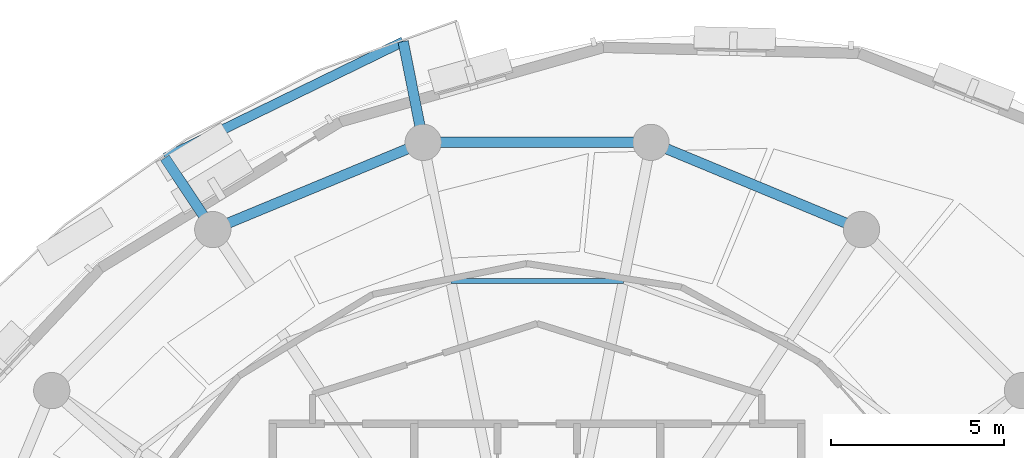
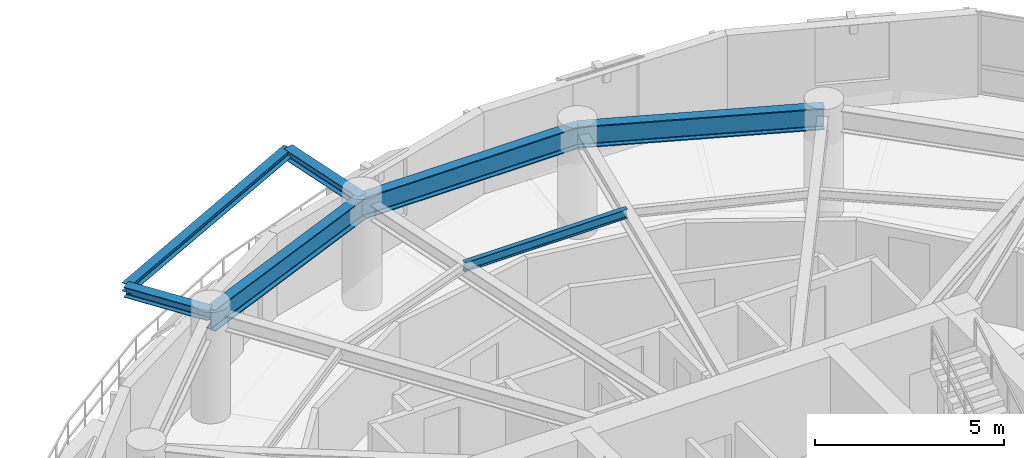
# One storey, part 7 of 15: 7 beams.
"""IFC4 building model written with IfcOpenShell, lengths in metres."""

from ifc_helpers import new_model, si_unit, direction, frame, origin, origin_2d, place, context, subcontext, project, spatial, i_section, extrude, material, material_profile, profile_set, type_object, element, save


model = new_model("IFC4")

# Units and contexts
model_context = context("Model", 3, precision=1e-05, world=origin(), true_north=direction((0.0, 1.0)))
body_context = subcontext(model_context, "Body", "Model", "MODEL_VIEW")
ifc_project = project(units=[si_unit("LENGTHUNIT", "METRE"), si_unit("AREAUNIT", "SQUARE_METRE"), si_unit("VOLUMEUNIT", "CUBIC_METRE"), si_unit("PLANEANGLEUNIT", "RADIAN"), si_unit("MASSUNIT", "GRAM", prefix="KILO"), si_unit("THERMODYNAMICTEMPERATUREUNIT", "KELVIN"), si_unit("POWERUNIT", "WATT")], contexts=[model_context])

# Site, building, storey
site_placement = place(None, origin())
site = spatial("IfcSite", under=ifc_project, at=site_placement, CompositionType="ELEMENT")
building_placement = place(site_placement, origin())
building = spatial("IfcBuilding", under=site, at=building_placement, Name="Ocrelia Relay Tower", CompositionType="ELEMENT")
storey_placement = place(building_placement, frame((0.0, 0.0, 166.39990234375)))
storey = spatial("IfcBuildingStorey", under=building, at=storey_placement, Name="L39", CompositionType="ELEMENT", Elevation=166.39990234375)

# Beams
ifc_material = material(Name="Steel S355", Category="steel")
ifc_material_profile_1 = material_profile(ifc_material, i_section(OverallWidth=0.280029296875, OverallDepth=0.27001953125, WebThickness=0.008056640625, FlangeThickness=0.012939453125, FilletRadius=0.02392578125, at=origin_2d()), Name="HEA 280")
ifc_profile_set_1 = profile_set([ifc_material_profile_1], Name="Steel S355")
beam_type_1 = type_object("IfcBeamType", Name="BM-HEA280", PredefinedType="BEAM", material=ifc_profile_set_1)
beam_1_placement = place(storey_placement, frame((30.12255859375, 45.49365234375, 3.2451171875), z_axis=(-0.898710970049, -0.438541437395, 0.0), x_axis=(0.438541437395, -0.898710970049, 0.0)))
element("IfcBeam", 1, at=beam_1_placement, inside=storey, type_object=beam_type_1, Name="L40 Balcony Edge Trimmer Beam B1", PredefinedType="BEAM", context=body_context, shape_type="SweptSolid", body=[
    extrude(i_section(OverallWidth=0.280029296875, OverallDepth=0.27001953125, WebThickness=0.008056640625, FlangeThickness=0.012939453125, FilletRadius=0.02392578125, at=origin_2d()), origin(), (0.0, 0.0, 1.0), 7.676025390625),
])
ifc_material_profile_2 = material_profile(ifc_material, i_section(OverallWidth=0.300048828125, OverallDepth=0.330078125, WebThickness=0.009521484375, FlangeThickness=0.0166015625, FilletRadius=0.027099609375, at=origin_2d()), Name="HEA 340")
ifc_profile_set_2 = profile_set([ifc_material_profile_2], Name="Steel S355")
beam_type_2 = type_object("IfcBeamType", Name="BM-HEA340", PredefinedType="BEAM", material=ifc_profile_set_2)
beam_2_placement = place(storey_placement, frame((30.702880859375, 42.5751953125, 3.215087890625), z_axis=(-0.195027304832, 0.980797813196, 0.0), x_axis=(-0.980797813196, -0.195027304832, 0.0)))
element("IfcBeam", 2, at=beam_2_placement, inside=storey, type_object=beam_type_2, Name="L40 Balcony Cantilever Beam B1-1", PredefinedType="BEAM", context=body_context, shape_type="SweptSolid", body=[
    extrude(i_section(OverallWidth=0.300048828125, OverallDepth=0.330078125, WebThickness=0.009521484375, FlangeThickness=0.0166015625, FilletRadius=0.027099609375, at=origin_2d()), origin(), (0.0, 0.0, 1.0), 2.9755859375),
])
beam_3_placement = place(storey_placement, frame((24.61083984375, 40.0517578125, 3.215087890625), z_axis=(-0.555512436399, 0.831508227864, 0.0), x_axis=(-0.831508227864, -0.555512436399, 0.0)))
element("IfcBeam", 3, at=beam_3_placement, inside=storey, type_object=beam_type_2, Name="L40 Balcony Cantilever Beam B1-2", PredefinedType="BEAM", context=body_context, shape_type="SweptSolid", body=[
    extrude(i_section(OverallWidth=0.300048828125, OverallDepth=0.330078125, WebThickness=0.009521484375, FlangeThickness=0.0166015625, FilletRadius=0.027099609375, at=origin_2d()), origin(), (0.0, 0.0, 1.0), 2.496337890625),
])
ifc_material_profile_3 = material_profile(ifc_material, i_section(OverallWidth=0.300048828125, OverallDepth=0.699951171875, WebThickness=0.01708984375, FlangeThickness=0.031982421875, FilletRadius=0.027099609375, at=origin_2d()), Name="HEB 700")
ifc_profile_set_3 = profile_set([ifc_material_profile_3], Name="Steel S355")
beam_type_3 = type_object("IfcBeamType", Name="BM-HEB700", PredefinedType="BEAM", material=ifc_profile_set_3)
beam_4_placement = place(storey_placement, frame((43.38916015625, 40.0517578125, 3.030029296875), z_axis=(-0.923877844151, 0.382687508402, 0.0), x_axis=(-0.382687508402, -0.923877844151, 0.0)))
element("IfcBeam", 4, at=beam_4_placement, inside=storey, type_object=beam_type_3, Name="L39 Perimeter Spandrel Beam S03", PredefinedType="BEAM", context=body_context, shape_type="SweptSolid", body=[
    extrude(i_section(OverallWidth=0.300048828125, OverallDepth=0.699951171875, WebThickness=0.01708984375, FlangeThickness=0.031982421875, FilletRadius=0.027099609375, at=origin_2d()), origin(), (0.0, 0.0, 1.0), 6.593994140625),
])
beam_5_placement = place(storey_placement, frame((37.297119140625, 42.5751953125, 3.030029296875), z_axis=(-1.0, 0.0, 0.0), x_axis=(0.0, -1.0, 0.0)))
element("IfcBeam", 5, at=beam_5_placement, inside=storey, type_object=beam_type_3, Name="L39 Perimeter Spandrel Beam S04", PredefinedType="BEAM", context=body_context, shape_type="SweptSolid", body=[
    extrude(i_section(OverallWidth=0.300048828125, OverallDepth=0.699951171875, WebThickness=0.01708984375, FlangeThickness=0.031982421875, FilletRadius=0.027099609375, at=origin_2d()), origin(), (0.0, 0.0, 1.0), 6.59423828125),
])
beam_6_placement = place(storey_placement, frame((30.702880859375, 42.5751953125, 3.030029296875), z_axis=(-0.923877844151, -0.382687508402, 0.0), x_axis=(0.382687508402, -0.923877844151, 0.0)))
element("IfcBeam", 6, at=beam_6_placement, inside=storey, type_object=beam_type_3, Name="L39 Perimeter Spandrel Beam S05", PredefinedType="BEAM", context=body_context, shape_type="SweptSolid", body=[
    extrude(i_section(OverallWidth=0.300048828125, OverallDepth=0.699951171875, WebThickness=0.01708984375, FlangeThickness=0.031982421875, FilletRadius=0.027099609375, at=origin_2d()), origin(), (0.0, 0.0, 1.0), 6.593994140625),
])
ifc_material_profile_4 = material_profile(ifc_material, i_section(OverallWidth=0.14990234375, OverallDepth=0.300048828125, WebThickness=0.007080078125, FlangeThickness=0.0107421875, FilletRadius=0.014892578125, at=origin_2d()), Name="IPE 300")
ifc_profile_set_4 = profile_set([ifc_material_profile_4], Name="Steel S355")
beam_type_4 = type_object("IfcBeamType", Name="BM-IPE300", PredefinedType="JOIST", material=ifc_profile_set_4)
beam_7_placement = place(storey_placement, frame((36.49853515625, 38.560791015625, 3.22998046875), z_axis=(-1.0, 0.0, 0.0), x_axis=(0.0, -1.0, 0.0)))
element("IfcBeam", 7, at=beam_7_placement, inside=storey, type_object=beam_type_4, Name="L39 Secondary Floor Joist J04", PredefinedType="JOIST", context=body_context, shape_type="SweptSolid", body=[
    extrude(i_section(OverallWidth=0.14990234375, OverallDepth=0.300048828125, WebThickness=0.007080078125, FlangeThickness=0.0107421875, FilletRadius=0.014892578125, at=origin_2d()), origin(), (0.0, 0.0, 1.0), 4.9970703125),
])

save(model, "model.ifc")
